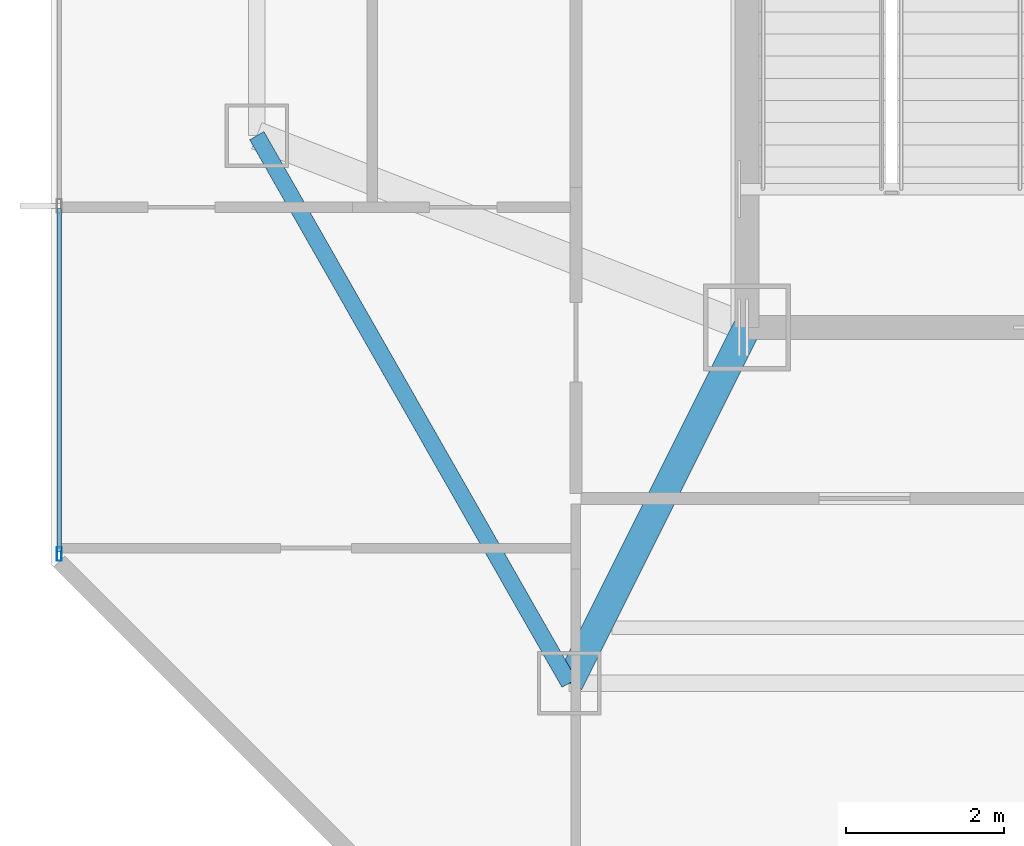
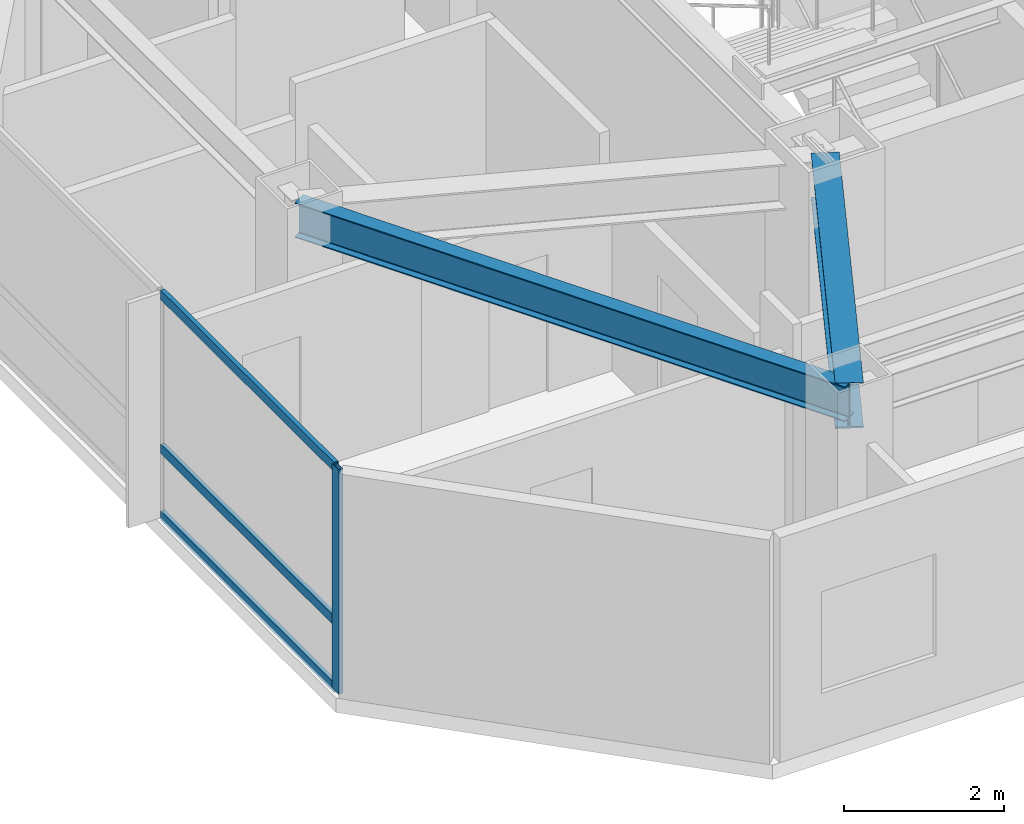
# One storey, part 2 of 15: 4 members, 2 beams, 1 element without a shape of its own.
"""IFC4 building model written with IfcOpenShell, lengths in metres."""

from ifc_helpers import new_model, si_unit, direction, frame, origin, origin_2d, place, context, subcontext, project, spatial, hollow_rectangle, i_section, extrude, material, material_profile, profile_set, type_object, element, aggregate, save


model = new_model("IFC4")

# Units and contexts
model_context = context("Model", 3, precision=1e-05, world=origin(), true_north=direction((0.0, 1.0)))
body_context = subcontext(model_context, "Body", "Model", "MODEL_VIEW")
ifc_project = project(units=[si_unit("LENGTHUNIT", "METRE"), si_unit("AREAUNIT", "SQUARE_METRE"), si_unit("VOLUMEUNIT", "CUBIC_METRE"), si_unit("PLANEANGLEUNIT", "RADIAN"), si_unit("MASSUNIT", "GRAM", prefix="KILO")], contexts=[model_context])

# Site, building, storey
site_placement = place(None, origin())
site = spatial("IfcSite", under=ifc_project, at=site_placement, CompositionType="ELEMENT")
building_placement = place(site_placement, origin())
building = spatial("IfcBuilding", under=site, at=building_placement, Name="Khamvora Tower", CompositionType="ELEMENT")
storey_placement = place(building_placement, frame((0.0, 0.0, 220.85009765625)))
storey = spatial("IfcBuildingStorey", under=building, at=storey_placement, Name="L56", CompositionType="ELEMENT", Elevation=220.85009765625)

# Beams
ifc_material_1 = material(Name="Steel S355", Category="steel")
ifc_material_profile_1 = material_profile(ifc_material_1, i_section(OverallWidth=0.35498046875, OverallDepth=0.695068359375, WebThickness=0.014892578125, FlangeThickness=0.02490234375, FilletRadius=0.01611328125, at=origin_2d()), Name="W690x217")
ifc_profile_set_1 = profile_set([ifc_material_profile_1], Name="Steel S355")
beam_type_1 = type_object("IfcBeamType", Name="BM-PG-W690x217", PredefinedType="BEAM", material=ifc_profile_set_1)
beam_1_placement = place(storey_placement, frame((29.0, 19.0, 3.0830078125), z_axis=(-0.4472135955, -0.894427191, 0.0), x_axis=(0.894427191, -0.4472135955, 0.0)))
element("IfcBeam", 1, at=beam_1_placement, inside=storey, type_object=beam_type_1, Name="L56 primary floor girder S1", PredefinedType="BEAM", context=body_context, shape_type="SweptSolid", body=[
    extrude(i_section(OverallWidth=0.35498046875, OverallDepth=0.695068359375, WebThickness=0.014892578125, FlangeThickness=0.02490234375, FilletRadius=0.01611328125, at=origin_2d()), origin(), (0.0, 0.0, 1.0), 5.03125),
])
ifc_material_profile_2 = material_profile(ifc_material_1, i_section(OverallWidth=0.208984375, OverallDepth=0.532958984375, WebThickness=0.010009765625, FlangeThickness=0.01611328125, FilletRadius=0.013916015625, at=origin_2d()), Name="W530x92")
ifc_profile_set_2 = profile_set([ifc_material_profile_2], Name="Steel S355")
beam_type_2 = type_object("IfcBeamType", Name="BM-SP-W530x92", PredefinedType="SPANDREL", material=ifc_profile_set_2)
beam_2_placement = place(storey_placement, frame((22.800048828125, 21.425048828125, 3.162841796875), z_axis=(0.495456118564, -0.868632968853, 0.0), x_axis=(0.868632968853, 0.495456118564, 0.0)))
element("IfcBeam", 2, at=beam_2_placement, inside=storey, type_object=beam_type_2, Name="L56 perimeter spandrel beam W1-S1", PredefinedType="SPANDREL", context=body_context, shape_type="SweptSolid", body=[
    extrude(i_section(OverallWidth=0.208984375, OverallDepth=0.532958984375, WebThickness=0.010009765625, FlangeThickness=0.01611328125, FilletRadius=0.013916015625, at=origin_2d()), origin(), (0.0, 0.0, 1.0), 7.972412109375),
])

# Curtain wall, members
ifc_material_2 = material(Name="Anodised Aluminium 6063-T6", Category="aluminium")
curtain_wall_type = type_object("IfcCurtainWallType", Name="CW-SYS-05", PredefinedType="NOTDEFINED", material=ifc_material_2)
curtain_wall_placement = place(storey_placement, origin())
curtain_wall = element("IfcCurtainWall", 3, at=curtain_wall_placement, inside=storey, type_object=curtain_wall_type, Name="L56 stick curtain wall 02.1", PredefinedType="NOTDEFINED")
ifc_material_profile_3 = material_profile(ifc_material_2, hollow_rectangle(XDim=0.06005859375, YDim=0.175048828125, WallThickness=0.0048828125, at=origin_2d()), Name="MUL60x175x5")
ifc_profile_set_3 = profile_set([ifc_material_profile_3], Name="Anodised Aluminium 6063-T6")
member_type_1 = type_object("IfcMemberType", Name="CW-SYS-05-MUL", PredefinedType="MULLION", material=ifc_profile_set_3)
member_1_placement = place(storey_placement, frame((20.300048828125, 16.134033203125, 0.0), z_axis=(0.0, 0.0, 1.0), x_axis=(-1.0, 0.0, 0.0)))
member_1 = element("IfcMember", 4, at=member_1_placement, type_object=member_type_1, Name="CW-05 mullion 1", PredefinedType="MULLION", context=body_context, shape_type="SweptSolid", body=[
    extrude(hollow_rectangle(XDim=0.06005859375, YDim=0.175048828125, WallThickness=0.0048828125, at=origin_2d()), origin(), (0.0, 0.0, 1.0), 3.429931640625),
])
ifc_material_profile_4 = material_profile(ifc_material_2, hollow_rectangle(XDim=0.06005859375, YDim=0.14501953125, WallThickness=0.0048828125, at=origin_2d()), Name="TRN60x145x5")
ifc_profile_set_4 = profile_set([ifc_material_profile_4], Name="Anodised Aluminium 6063-T6")
member_type_2 = type_object("IfcMemberType", Name="CW-SYS-05-TRN", PredefinedType="USERDEFINED", material=ifc_profile_set_4)
member_2_placement = place(storey_placement, frame((20.300048828125, 16.1640625, 0.02978515625), z_axis=(0.0, 1.0, 0.0), x_axis=(-1.0, 0.0, 0.0)))
member_2 = element("IfcMember", 5, at=member_2_placement, type_object=member_type_2, Name="CW-05 transom 1.1", ObjectType="TRANSOM", PredefinedType="USERDEFINED", context=body_context, shape_type="SweptSolid", body=[
    extrude(hollow_rectangle(XDim=0.06005859375, YDim=0.14501953125, WallThickness=0.0048828125, at=origin_2d()), origin(), (0.0, 0.0, 1.0), 4.341552734375),
])
member_3_placement = place(storey_placement, frame((20.300048828125, 16.1640625, 1.0498046875), z_axis=(0.0, 1.0, 0.0), x_axis=(-1.0, 0.0, 0.0)))
member_3 = element("IfcMember", 6, at=member_3_placement, type_object=member_type_2, Name="CW-05 transom 1.2", ObjectType="TRANSOM", PredefinedType="USERDEFINED", context=body_context, shape_type="SweptSolid", body=[
    extrude(hollow_rectangle(XDim=0.06005859375, YDim=0.14501953125, WallThickness=0.0048828125, at=origin_2d()), origin(), (0.0, 0.0, 1.0), 4.341552734375),
])
member_4_placement = place(storey_placement, frame((20.300048828125, 16.1640625, 3.39990234375), z_axis=(0.0, 1.0, 0.0), x_axis=(-1.0, 0.0, 0.0)))
member_4 = element("IfcMember", 7, at=member_4_placement, type_object=member_type_2, Name="CW-05 transom 1.3", ObjectType="TRANSOM", PredefinedType="USERDEFINED", context=body_context, shape_type="SweptSolid", body=[
    extrude(hollow_rectangle(XDim=0.06005859375, YDim=0.14501953125, WallThickness=0.0048828125, at=origin_2d()), origin(), (0.0, 0.0, 1.0), 4.341552734375),
])
aggregate(curtain_wall, [member_1, member_2, member_3, member_4])

save(model, "model.ifc")
